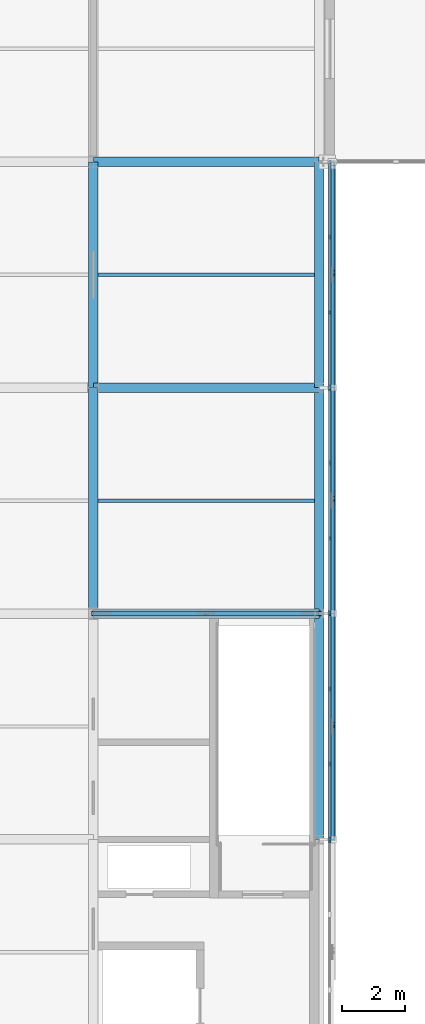
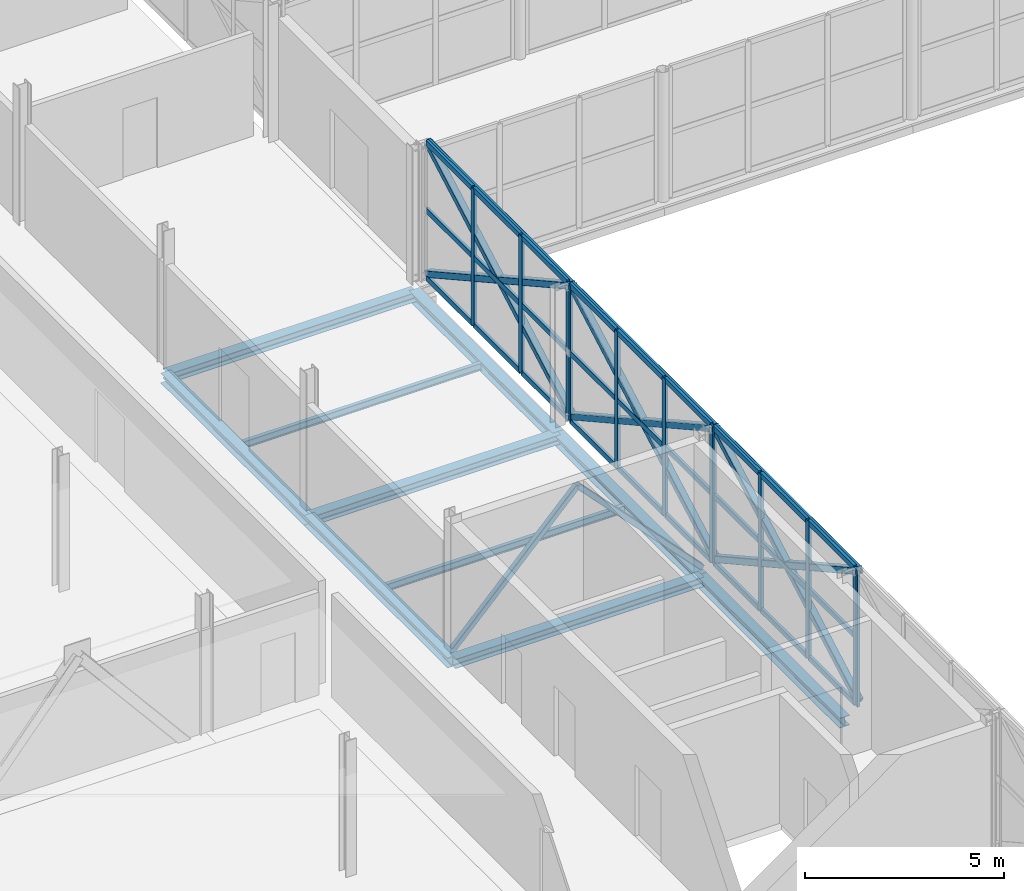
# One storey, part 47 of 103: 53 members, 10 beams, 4 elements without a shape of their own.
"""IFC4 building model written with IfcOpenShell, lengths in metres."""

from ifc_helpers import new_model, si_unit, direction, frame, origin, origin_2d, place, context, subcontext, project, spatial, rectangle, hollow_rectangle, i_section, extrude, material, material_profile, profile_set, type_object, element, aggregate, save


model = new_model("IFC4")

# Units and contexts
model_context = context("Model", 3, precision=1e-05, world=origin(), true_north=direction((0.0, 1.0)))
body_context = subcontext(model_context, "Body", "Model", "MODEL_VIEW")
ifc_project = project(units=[si_unit("LENGTHUNIT", "METRE"), si_unit("AREAUNIT", "SQUARE_METRE"), si_unit("VOLUMEUNIT", "CUBIC_METRE"), si_unit("PLANEANGLEUNIT", "RADIAN"), si_unit("MASSUNIT", "GRAM", prefix="KILO")], contexts=[model_context])

# Site, building, storey
site_placement = place(None, origin())
site = spatial("IfcSite", under=ifc_project, at=site_placement, CompositionType="ELEMENT")
building_placement = place(site_placement, origin())
building = spatial("IfcBuilding", under=site, at=building_placement, Name="Zlatovets Crest Museum", CompositionType="ELEMENT")
storey_placement = place(building_placement, frame((0.0, 0.0, 12.89990234375)))
storey = spatial("IfcBuildingStorey", under=building, at=storey_placement, Name="L03", CompositionType="ELEMENT", Elevation=12.89990234375)

# Beams
ifc_material_1 = material(Name="Structural steel S355J2", Category="steel")
ifc_material_profile_1 = material_profile(ifc_material_1, i_section(OverallWidth=0.300048828125, OverallDepth=0.31005859375, WebThickness=0.009033203125, FlangeThickness=0.015380859375, FilletRadius=0.027099609375, at=origin_2d()), Name="HEA 320")
ifc_profile_set_1 = profile_set([ifc_material_profile_1], Name="Structural steel S355J2")
beam_type_1 = type_object("IfcBeamType", Name="Beam_B-04", PredefinedType="BEAM", material=ifc_profile_set_1)
for number, where, z_axis, x_axis, name in (
    (1, (28.800048828125, 72.0, -0.39501953125), (0.0, 1.0, 0.0), (-1.0, 0.0, 0.0), "V4 L03 Grid Beam B-04"),
    (2, (28.800048828125, 79.199951171875, -0.39501953125), (0.0, 1.0, 0.0), (-1.0, 0.0, 0.0), "V4 L03 Grid Beam B-04"),
    (3, (36.0, 64.800048828125, -0.39501953125), (0.0, 1.0, 0.0), (-1.0, 0.0, 0.0), "V4 L03 Grid Beam B-04"),
    (4, (36.0, 72.0, -0.39501953125), (0.0, 1.0, 0.0), (-1.0, 0.0, 0.0), "V4 L03 Grid Beam B-04"),
    (5, (36.0, 79.199951171875, -0.39501953125), (0.0, 1.0, 0.0), (-1.0, 0.0, 0.0), "V4 L03 Grid Beam B-04"),
):
    element("IfcBeam", number, at=place(storey_placement, frame(where, z_axis=z_axis, x_axis=x_axis)), inside=storey, type_object=beam_type_1, Name=name, PredefinedType="BEAM", context=body_context, shape_type="SweptSolid", body=[
        extrude(i_section(OverallWidth=0.300048828125, OverallDepth=0.31005859375, WebThickness=0.009033203125, FlangeThickness=0.015380859375, FilletRadius=0.027099609375, at=origin_2d()), origin(), (0.0, 0.0, 1.0), 7.199951171875),
    ])
ifc_material_profile_2 = material_profile(ifc_material_1, i_section(OverallWidth=0.300048828125, OverallDepth=0.2900390625, WebThickness=0.008544921875, FlangeThickness=0.013916015625, FilletRadius=0.027099609375, at=origin_2d()), Name="HEA 300")
ifc_profile_set_2 = profile_set([ifc_material_profile_2], Name="Structural steel S355J2")
beam_type_2 = type_object("IfcBeamType", Name="Beam_B-12", PredefinedType="BEAM", material=ifc_profile_set_2)
for number, where, z_axis, x_axis, name in (
    (6, (28.800048828125, 72.0, -0.385009765625), (1.0, 0.0, 0.0), (0.0, 1.0, 0.0), "V4 L03 Primary Girder B-12"),
    (7, (28.800048828125, 79.199951171875, -0.385009765625), (1.0, 0.0, 0.0), (0.0, 1.0, 0.0), "V4 L03 Primary Girder B-12"),
    (8, (28.800048828125, 86.39990234375, -0.385009765625), (1.0, 0.0, 0.0), (0.0, 1.0, 0.0), "V4 L03 Primary Girder B-12"),
):
    element("IfcBeam", number, at=place(storey_placement, frame(where, z_axis=z_axis, x_axis=x_axis)), inside=storey, type_object=beam_type_2, Name=name, PredefinedType="BEAM", context=body_context, shape_type="SweptSolid", body=[
        extrude(i_section(OverallWidth=0.300048828125, OverallDepth=0.2900390625, WebThickness=0.008544921875, FlangeThickness=0.013916015625, FilletRadius=0.027099609375, at=origin_2d()), origin(), (0.0, 0.0, 1.0), 7.199951171875),
    ])
ifc_material_profile_3 = material_profile(ifc_material_1, i_section(OverallWidth=0.110107421875, OverallDepth=0.219970703125, WebThickness=0.005859375, FlangeThickness=0.00927734375, FilletRadius=0.011962890625, at=origin_2d()), Name="IPE 220")
ifc_profile_set_3 = profile_set([ifc_material_profile_3], Name="Structural steel S355J2")
beam_type_3 = type_object("IfcBeamType", Name="Beam_J-10", PredefinedType="JOIST", material=ifc_profile_set_3)
for number, where, z_axis, x_axis, name in (
    (9, (28.949951171875, 75.60009765625, -0.349853515625), (1.0, 0.0, 0.0), (0.0, 1.0, 0.0), "V4 L03 Composite Joist J-10"),
    (10, (28.949951171875, 82.800048828125, -0.349853515625), (1.0, 0.0, 0.0), (0.0, 1.0, 0.0), "V4 L03 Composite Joist J-10"),
):
    element("IfcBeam", number, at=place(storey_placement, frame(where, z_axis=z_axis, x_axis=x_axis)), inside=storey, type_object=beam_type_3, Name=name, PredefinedType="JOIST", context=body_context, shape_type="SweptSolid", body=[
        extrude(i_section(OverallWidth=0.110107421875, OverallDepth=0.219970703125, WebThickness=0.005859375, FlangeThickness=0.00927734375, FilletRadius=0.011962890625, at=origin_2d()), origin(), (0.0, 0.0, 1.0), 6.900146484375),
    ])

# Curtain wall, member
ifc_material_2 = material(Name="Bronze-anodised aluminium and low-E triple glass", Category="aluminium")
curtain_wall_type_1 = type_object("IfcCurtainWallType", Name="CW_CW-V4-L03-M1", PredefinedType="NOTDEFINED", material=ifc_material_2)
curtain_wall_1_placement = place(storey_placement, origin())
curtain_wall_1 = element("IfcCurtainWall", 11, at=curtain_wall_1_placement, inside=storey, type_object=curtain_wall_type_1, Name="V4 L03 Expressed Core Glazed Facade", PredefinedType="NOTDEFINED")
ifc_material_3 = material(Name="Bronze-anodised aluminium EN AW-6060", Category="aluminium")
ifc_material_profile_4 = material_profile(ifc_material_3, rectangle(XDim=0.080078125, YDim=0.159912109375, at=origin_2d()), Name="ALU 80x160")
ifc_profile_set_4 = profile_set([ifc_material_profile_4], Name="Bronze-anodised aluminium EN AW-6060")
member_type_1 = type_object("IfcMemberType", Name="CWMull_M1", PredefinedType="MULLION", material=ifc_profile_set_4)
member_1_placement = place(storey_placement, frame((36.340087890625, 64.77001953125, 0.0), z_axis=(0.0, 0.0, 1.0), x_axis=(-1.0, 0.0, 0.0)))
member_1 = element("IfcMember", 12, at=member_1_placement, type_object=member_type_1, Name="CW-V4-L03-M1 mullion 4", PredefinedType="MULLION", context=body_context, shape_type="SweptSolid", body=[
    extrude(rectangle(XDim=0.080078125, YDim=0.159912109375, at=origin_2d()), origin(), (0.0, 0.0, 1.0), 4.2001953125),
])
aggregate(curtain_wall_1, [member_1])

# Curtain wall, members
curtain_wall_type_2 = type_object("IfcCurtainWallType", Name="CW_CW-V4-L03-M2", PredefinedType="NOTDEFINED", material=ifc_material_2)
curtain_wall_2_placement = place(storey_placement, origin())
curtain_wall_2 = element("IfcCurtainWall", 13, at=curtain_wall_2_placement, inside=storey, type_object=curtain_wall_type_2, Name="V4 L03 Expressed Core Glazed Facade", PredefinedType="NOTDEFINED")
member_2_placement = place(storey_placement, frame((36.340087890625, 64.830078125, 0.0), z_axis=(0.0, 0.0, 1.0), x_axis=(-1.0, 0.0, 0.0)))
member_2 = element("IfcMember", 14, at=member_2_placement, type_object=member_type_1, Name="CW-V4-L03-M2 mullion 1", PredefinedType="MULLION", context=body_context, shape_type="SweptSolid", body=[
    extrude(rectangle(XDim=0.080078125, YDim=0.159912109375, at=origin_2d()), origin(), (0.0, 0.0, 1.0), 4.2001953125),
])
member_3_placement = place(storey_placement, frame((36.340087890625, 67.199951171875, 0.0), z_axis=(0.0, 0.0, 1.0), x_axis=(-1.0, 0.0, 0.0)))
member_3 = element("IfcMember", 15, at=member_3_placement, type_object=member_type_1, Name="CW-V4-L03-M2 mullion 2", PredefinedType="MULLION", context=body_context, shape_type="SweptSolid", body=[
    extrude(rectangle(XDim=0.080078125, YDim=0.159912109375, at=origin_2d()), origin(), (0.0, 0.0, 1.0), 4.2001953125),
])
member_4_placement = place(storey_placement, frame((36.340087890625, 69.60009765625, 0.0), z_axis=(0.0, 0.0, 1.0), x_axis=(-1.0, 0.0, 0.0)))
member_4 = element("IfcMember", 16, at=member_4_placement, type_object=member_type_1, Name="CW-V4-L03-M2 mullion 3", PredefinedType="MULLION", context=body_context, shape_type="SweptSolid", body=[
    extrude(rectangle(XDim=0.080078125, YDim=0.159912109375, at=origin_2d()), origin(), (0.0, 0.0, 1.0), 4.2001953125),
])
member_5_placement = place(storey_placement, frame((36.340087890625, 71.969970703125, 0.0), z_axis=(0.0, 0.0, 1.0), x_axis=(-1.0, 0.0, 0.0)))
member_5 = element("IfcMember", 17, at=member_5_placement, type_object=member_type_1, Name="CW-V4-L03-M2 mullion 4", PredefinedType="MULLION", context=body_context, shape_type="SweptSolid", body=[
    extrude(rectangle(XDim=0.080078125, YDim=0.159912109375, at=origin_2d()), origin(), (0.0, 0.0, 1.0), 4.2001953125),
])

curtain_wall_type_3 = type_object("IfcCurtainWallType", Name="CW_CW-V4-L03-M3", PredefinedType="NOTDEFINED", material=ifc_material_2)
curtain_wall_3_placement = place(storey_placement, origin())
curtain_wall_3 = element("IfcCurtainWall", 18, at=curtain_wall_3_placement, inside=storey, type_object=curtain_wall_type_3, Name="V4 L03 Secession Foyer Clear Curtain Wall", PredefinedType="NOTDEFINED")
member_6_placement = place(storey_placement, frame((36.340087890625, 72.030029296875, 0.0), z_axis=(0.0, 0.0, 1.0), x_axis=(-1.0, 0.0, 0.0)))
member_6 = element("IfcMember", 19, at=member_6_placement, type_object=member_type_1, Name="CW-V4-L03-M3 mullion 1", PredefinedType="MULLION", context=body_context, shape_type="SweptSolid", body=[
    extrude(rectangle(XDim=0.080078125, YDim=0.159912109375, at=origin_2d()), origin(), (0.0, 0.0, 1.0), 4.2001953125),
])
member_7_placement = place(storey_placement, frame((36.340087890625, 74.39990234375, 0.0), z_axis=(0.0, 0.0, 1.0), x_axis=(-1.0, 0.0, 0.0)))
member_7 = element("IfcMember", 20, at=member_7_placement, type_object=member_type_1, Name="CW-V4-L03-M3 mullion 2", PredefinedType="MULLION", context=body_context, shape_type="SweptSolid", body=[
    extrude(rectangle(XDim=0.080078125, YDim=0.159912109375, at=origin_2d()), origin(), (0.0, 0.0, 1.0), 4.2001953125),
])
member_8_placement = place(storey_placement, frame((36.340087890625, 76.800048828125, 0.0), z_axis=(0.0, 0.0, 1.0), x_axis=(-1.0, 0.0, 0.0)))
member_8 = element("IfcMember", 21, at=member_8_placement, type_object=member_type_1, Name="CW-V4-L03-M3 mullion 3", PredefinedType="MULLION", context=body_context, shape_type="SweptSolid", body=[
    extrude(rectangle(XDim=0.080078125, YDim=0.159912109375, at=origin_2d()), origin(), (0.0, 0.0, 1.0), 4.2001953125),
])
member_9_placement = place(storey_placement, frame((36.340087890625, 79.169921875, 0.0), z_axis=(0.0, 0.0, 1.0), x_axis=(-1.0, 0.0, 0.0)))
member_9 = element("IfcMember", 22, at=member_9_placement, type_object=member_type_1, Name="CW-V4-L03-M3 mullion 4", PredefinedType="MULLION", context=body_context, shape_type="SweptSolid", body=[
    extrude(rectangle(XDim=0.080078125, YDim=0.159912109375, at=origin_2d()), origin(), (0.0, 0.0, 1.0), 4.2001953125),
])

curtain_wall_type_4 = type_object("IfcCurtainWallType", Name="CW_CW-V4-L03-M0", PredefinedType="NOTDEFINED", material=ifc_material_2)
curtain_wall_4_placement = place(storey_placement, origin())
curtain_wall_4 = element("IfcCurtainWall", 23, at=curtain_wall_4_placement, inside=storey, type_object=curtain_wall_type_4, Name="V4 L03 Secession Foyer Clear Curtain Wall", PredefinedType="NOTDEFINED")
member_10_placement = place(storey_placement, frame((36.340087890625, 79.22998046875, 0.0), z_axis=(0.0, 0.0, 1.0), x_axis=(-1.0, 0.0, 0.0)))
member_10 = element("IfcMember", 24, at=member_10_placement, type_object=member_type_1, Name="CW-V4-L03-M0 mullion 1", PredefinedType="MULLION", context=body_context, shape_type="SweptSolid", body=[
    extrude(rectangle(XDim=0.080078125, YDim=0.159912109375, at=origin_2d()), origin(), (0.0, 0.0, 1.0), 4.2001953125),
])
member_11_placement = place(storey_placement, frame((36.340087890625, 81.60009765625, 0.0), z_axis=(0.0, 0.0, 1.0), x_axis=(-1.0, 0.0, 0.0)))
member_11 = element("IfcMember", 25, at=member_11_placement, type_object=member_type_1, Name="CW-V4-L03-M0 mullion 2", PredefinedType="MULLION", context=body_context, shape_type="SweptSolid", body=[
    extrude(rectangle(XDim=0.080078125, YDim=0.159912109375, at=origin_2d()), origin(), (0.0, 0.0, 1.0), 4.2001953125),
])
member_12_placement = place(storey_placement, frame((36.340087890625, 84.0, 0.0), z_axis=(0.0, 0.0, 1.0), x_axis=(-1.0, 0.0, 0.0)))
member_12 = element("IfcMember", 26, at=member_12_placement, type_object=member_type_1, Name="CW-V4-L03-M0 mullion 3", PredefinedType="MULLION", context=body_context, shape_type="SweptSolid", body=[
    extrude(rectangle(XDim=0.080078125, YDim=0.159912109375, at=origin_2d()), origin(), (0.0, 0.0, 1.0), 4.2001953125),
])

# Member
ifc_material_profile_5 = material_profile(ifc_material_3, rectangle(XDim=0.080078125, YDim=0.159912109375, at=origin_2d()), Name="ALU 80x160")
ifc_profile_set_5 = profile_set([ifc_material_profile_5], Name="Bronze-anodised aluminium EN AW-6060")
member_type_2 = type_object("IfcMemberType", Name="CWTrans_T1", PredefinedType="USERDEFINED", material=ifc_profile_set_5)
member_13_placement = place(storey_placement, frame((36.340087890625, 64.860107421875, 0.030029296875), z_axis=(0.0, 1.0, 0.0), x_axis=(-1.0, 0.0, 0.0)))
member_13 = element("IfcMember", 27, at=member_13_placement, type_object=member_type_2, Name="CW-V4-L03-M2 transom 1.1", ObjectType="TRANSOM", PredefinedType="USERDEFINED", context=body_context, shape_type="SweptSolid", body=[
    extrude(rectangle(XDim=0.080078125, YDim=0.159912109375, at=origin_2d()), origin(), (0.0, 0.0, 1.0), 2.309814453125),
])

member_14_placement = place(storey_placement, frame((36.340087890625, 64.860107421875, 2.10009765625), z_axis=(0.0, 1.0, 0.0), x_axis=(-1.0, 0.0, 0.0)))
member_14 = element("IfcMember", 28, at=member_14_placement, type_object=member_type_2, Name="CW-V4-L03-M2 transom 1.2", ObjectType="TRANSOM", PredefinedType="USERDEFINED", context=body_context, shape_type="SweptSolid", body=[
    extrude(rectangle(XDim=0.080078125, YDim=0.159912109375, at=origin_2d()), origin(), (0.0, 0.0, 1.0), 2.309814453125),
])

member_15_placement = place(storey_placement, frame((36.340087890625, 64.860107421875, 4.170166015625), z_axis=(0.0, 1.0, 0.0), x_axis=(-1.0, 0.0, 0.0)))
member_15 = element("IfcMember", 29, at=member_15_placement, type_object=member_type_2, Name="CW-V4-L03-M2 transom 1.3", ObjectType="TRANSOM", PredefinedType="USERDEFINED", context=body_context, shape_type="SweptSolid", body=[
    extrude(rectangle(XDim=0.080078125, YDim=0.159912109375, at=origin_2d()), origin(), (0.0, 0.0, 1.0), 2.309814453125),
])

member_16_placement = place(storey_placement, frame((36.340087890625, 67.22998046875, 0.030029296875), z_axis=(0.0, 1.0, 0.0), x_axis=(-1.0, 0.0, 0.0)))
member_16 = element("IfcMember", 30, at=member_16_placement, type_object=member_type_2, Name="CW-V4-L03-M2 transom 2.1", ObjectType="TRANSOM", PredefinedType="USERDEFINED", context=body_context, shape_type="SweptSolid", body=[
    extrude(rectangle(XDim=0.080078125, YDim=0.159912109375, at=origin_2d()), origin(), (0.0, 0.0, 1.0), 2.340087890625),
])

member_17_placement = place(storey_placement, frame((36.340087890625, 67.22998046875, 2.10009765625), z_axis=(0.0, 1.0, 0.0), x_axis=(-1.0, 0.0, 0.0)))
member_17 = element("IfcMember", 31, at=member_17_placement, type_object=member_type_2, Name="CW-V4-L03-M2 transom 2.2", ObjectType="TRANSOM", PredefinedType="USERDEFINED", context=body_context, shape_type="SweptSolid", body=[
    extrude(rectangle(XDim=0.080078125, YDim=0.159912109375, at=origin_2d()), origin(), (0.0, 0.0, 1.0), 2.340087890625),
])

member_18_placement = place(storey_placement, frame((36.340087890625, 67.22998046875, 4.170166015625), z_axis=(0.0, 1.0, 0.0), x_axis=(-1.0, 0.0, 0.0)))
member_18 = element("IfcMember", 32, at=member_18_placement, type_object=member_type_2, Name="CW-V4-L03-M2 transom 2.3", ObjectType="TRANSOM", PredefinedType="USERDEFINED", context=body_context, shape_type="SweptSolid", body=[
    extrude(rectangle(XDim=0.080078125, YDim=0.159912109375, at=origin_2d()), origin(), (0.0, 0.0, 1.0), 2.340087890625),
])

member_19_placement = place(storey_placement, frame((36.340087890625, 69.6298828125, 0.030029296875), z_axis=(0.0, 1.0, 0.0), x_axis=(-1.0, 0.0, 0.0)))
member_19 = element("IfcMember", 33, at=member_19_placement, type_object=member_type_2, Name="CW-V4-L03-M2 transom 3.1", ObjectType="TRANSOM", PredefinedType="USERDEFINED", context=body_context, shape_type="SweptSolid", body=[
    extrude(rectangle(XDim=0.080078125, YDim=0.159912109375, at=origin_2d()), origin(), (0.0, 0.0, 1.0), 2.31005859375),
])

member_20_placement = place(storey_placement, frame((36.340087890625, 69.6298828125, 2.10009765625), z_axis=(0.0, 1.0, 0.0), x_axis=(-1.0, 0.0, 0.0)))
member_20 = element("IfcMember", 34, at=member_20_placement, type_object=member_type_2, Name="CW-V4-L03-M2 transom 3.2", ObjectType="TRANSOM", PredefinedType="USERDEFINED", context=body_context, shape_type="SweptSolid", body=[
    extrude(rectangle(XDim=0.080078125, YDim=0.159912109375, at=origin_2d()), origin(), (0.0, 0.0, 1.0), 2.31005859375),
])

member_21_placement = place(storey_placement, frame((36.340087890625, 69.6298828125, 4.170166015625), z_axis=(0.0, 1.0, 0.0), x_axis=(-1.0, 0.0, 0.0)))
member_21 = element("IfcMember", 35, at=member_21_placement, type_object=member_type_2, Name="CW-V4-L03-M2 transom 3.3", ObjectType="TRANSOM", PredefinedType="USERDEFINED", context=body_context, shape_type="SweptSolid", body=[
    extrude(rectangle(XDim=0.080078125, YDim=0.159912109375, at=origin_2d()), origin(), (0.0, 0.0, 1.0), 2.31005859375),
])

aggregate(curtain_wall_2, [member_2, member_3, member_4, member_5, member_13, member_14, member_15, member_16, member_17, member_18, member_19, member_20, member_21])

member_22_placement = place(storey_placement, frame((36.340087890625, 72.06005859375, 0.030029296875), z_axis=(0.0, 1.0, 0.0), x_axis=(-1.0, 0.0, 0.0)))
member_22 = element("IfcMember", 36, at=member_22_placement, type_object=member_type_2, Name="CW-V4-L03-M3 transom 1.1", ObjectType="TRANSOM", PredefinedType="USERDEFINED", context=body_context, shape_type="SweptSolid", body=[
    extrude(rectangle(XDim=0.080078125, YDim=0.159912109375, at=origin_2d()), origin(), (0.0, 0.0, 1.0), 2.31005859375),
])

member_23_placement = place(storey_placement, frame((36.340087890625, 72.06005859375, 2.10009765625), z_axis=(0.0, 1.0, 0.0), x_axis=(-1.0, 0.0, 0.0)))
member_23 = element("IfcMember", 37, at=member_23_placement, type_object=member_type_2, Name="CW-V4-L03-M3 transom 1.2", ObjectType="TRANSOM", PredefinedType="USERDEFINED", context=body_context, shape_type="SweptSolid", body=[
    extrude(rectangle(XDim=0.080078125, YDim=0.159912109375, at=origin_2d()), origin(), (0.0, 0.0, 1.0), 2.31005859375),
])

member_24_placement = place(storey_placement, frame((36.340087890625, 72.06005859375, 4.170166015625), z_axis=(0.0, 1.0, 0.0), x_axis=(-1.0, 0.0, 0.0)))
member_24 = element("IfcMember", 38, at=member_24_placement, type_object=member_type_2, Name="CW-V4-L03-M3 transom 1.3", ObjectType="TRANSOM", PredefinedType="USERDEFINED", context=body_context, shape_type="SweptSolid", body=[
    extrude(rectangle(XDim=0.080078125, YDim=0.159912109375, at=origin_2d()), origin(), (0.0, 0.0, 1.0), 2.31005859375),
])

member_25_placement = place(storey_placement, frame((36.340087890625, 74.429931640625, 0.030029296875), z_axis=(0.0, 1.0, 0.0), x_axis=(-1.0, 0.0, 0.0)))
member_25 = element("IfcMember", 39, at=member_25_placement, type_object=member_type_2, Name="CW-V4-L03-M3 transom 2.1", ObjectType="TRANSOM", PredefinedType="USERDEFINED", context=body_context, shape_type="SweptSolid", body=[
    extrude(rectangle(XDim=0.080078125, YDim=0.159912109375, at=origin_2d()), origin(), (0.0, 0.0, 1.0), 2.340087890625),
])

member_26_placement = place(storey_placement, frame((36.340087890625, 74.429931640625, 2.10009765625), z_axis=(0.0, 1.0, 0.0), x_axis=(-1.0, 0.0, 0.0)))
member_26 = element("IfcMember", 40, at=member_26_placement, type_object=member_type_2, Name="CW-V4-L03-M3 transom 2.2", ObjectType="TRANSOM", PredefinedType="USERDEFINED", context=body_context, shape_type="SweptSolid", body=[
    extrude(rectangle(XDim=0.080078125, YDim=0.159912109375, at=origin_2d()), origin(), (0.0, 0.0, 1.0), 2.340087890625),
])

member_27_placement = place(storey_placement, frame((36.340087890625, 74.429931640625, 4.170166015625), z_axis=(0.0, 1.0, 0.0), x_axis=(-1.0, 0.0, 0.0)))
member_27 = element("IfcMember", 41, at=member_27_placement, type_object=member_type_2, Name="CW-V4-L03-M3 transom 2.3", ObjectType="TRANSOM", PredefinedType="USERDEFINED", context=body_context, shape_type="SweptSolid", body=[
    extrude(rectangle(XDim=0.080078125, YDim=0.159912109375, at=origin_2d()), origin(), (0.0, 0.0, 1.0), 2.340087890625),
])

member_28_placement = place(storey_placement, frame((36.340087890625, 76.830078125, 0.030029296875), z_axis=(0.0, 1.0, 0.0), x_axis=(-1.0, 0.0, 0.0)))
member_28 = element("IfcMember", 42, at=member_28_placement, type_object=member_type_2, Name="CW-V4-L03-M3 transom 3.1", ObjectType="TRANSOM", PredefinedType="USERDEFINED", context=body_context, shape_type="SweptSolid", body=[
    extrude(rectangle(XDim=0.080078125, YDim=0.159912109375, at=origin_2d()), origin(), (0.0, 0.0, 1.0), 2.309814453125),
])

member_29_placement = place(storey_placement, frame((36.340087890625, 76.830078125, 2.10009765625), z_axis=(0.0, 1.0, 0.0), x_axis=(-1.0, 0.0, 0.0)))
member_29 = element("IfcMember", 43, at=member_29_placement, type_object=member_type_2, Name="CW-V4-L03-M3 transom 3.2", ObjectType="TRANSOM", PredefinedType="USERDEFINED", context=body_context, shape_type="SweptSolid", body=[
    extrude(rectangle(XDim=0.080078125, YDim=0.159912109375, at=origin_2d()), origin(), (0.0, 0.0, 1.0), 2.309814453125),
])

member_30_placement = place(storey_placement, frame((36.340087890625, 76.830078125, 4.170166015625), z_axis=(0.0, 1.0, 0.0), x_axis=(-1.0, 0.0, 0.0)))
member_30 = element("IfcMember", 44, at=member_30_placement, type_object=member_type_2, Name="CW-V4-L03-M3 transom 3.3", ObjectType="TRANSOM", PredefinedType="USERDEFINED", context=body_context, shape_type="SweptSolid", body=[
    extrude(rectangle(XDim=0.080078125, YDim=0.159912109375, at=origin_2d()), origin(), (0.0, 0.0, 1.0), 2.309814453125),
])

aggregate(curtain_wall_3, [member_6, member_7, member_8, member_9, member_22, member_23, member_24, member_25, member_26, member_27, member_28, member_29, member_30])

member_31_placement = place(storey_placement, frame((36.340087890625, 79.260009765625, 0.030029296875), z_axis=(0.0, 1.0, 0.0), x_axis=(-1.0, 0.0, 0.0)))
member_31 = element("IfcMember", 45, at=member_31_placement, type_object=member_type_2, Name="CW-V4-L03-M0 transom 1.1", ObjectType="TRANSOM", PredefinedType="USERDEFINED", context=body_context, shape_type="SweptSolid", body=[
    extrude(rectangle(XDim=0.080078125, YDim=0.159912109375, at=origin_2d()), origin(), (0.0, 0.0, 1.0), 2.31005859375),
])

member_32_placement = place(storey_placement, frame((36.340087890625, 79.260009765625, 2.10009765625), z_axis=(0.0, 1.0, 0.0), x_axis=(-1.0, 0.0, 0.0)))
member_32 = element("IfcMember", 46, at=member_32_placement, type_object=member_type_2, Name="CW-V4-L03-M0 transom 1.2", ObjectType="TRANSOM", PredefinedType="USERDEFINED", context=body_context, shape_type="SweptSolid", body=[
    extrude(rectangle(XDim=0.080078125, YDim=0.159912109375, at=origin_2d()), origin(), (0.0, 0.0, 1.0), 2.31005859375),
])

member_33_placement = place(storey_placement, frame((36.340087890625, 79.260009765625, 4.170166015625), z_axis=(0.0, 1.0, 0.0), x_axis=(-1.0, 0.0, 0.0)))
member_33 = element("IfcMember", 47, at=member_33_placement, type_object=member_type_2, Name="CW-V4-L03-M0 transom 1.3", ObjectType="TRANSOM", PredefinedType="USERDEFINED", context=body_context, shape_type="SweptSolid", body=[
    extrude(rectangle(XDim=0.080078125, YDim=0.159912109375, at=origin_2d()), origin(), (0.0, 0.0, 1.0), 2.31005859375),
])

member_34_placement = place(storey_placement, frame((36.340087890625, 81.6298828125, 0.030029296875), z_axis=(0.0, 1.0, 0.0), x_axis=(-1.0, 0.0, 0.0)))
member_34 = element("IfcMember", 48, at=member_34_placement, type_object=member_type_2, Name="CW-V4-L03-M0 transom 2.1", ObjectType="TRANSOM", PredefinedType="USERDEFINED", context=body_context, shape_type="SweptSolid", body=[
    extrude(rectangle(XDim=0.080078125, YDim=0.159912109375, at=origin_2d()), origin(), (0.0, 0.0, 1.0), 2.340087890625),
])

member_35_placement = place(storey_placement, frame((36.340087890625, 81.6298828125, 2.10009765625), z_axis=(0.0, 1.0, 0.0), x_axis=(-1.0, 0.0, 0.0)))
member_35 = element("IfcMember", 49, at=member_35_placement, type_object=member_type_2, Name="CW-V4-L03-M0 transom 2.2", ObjectType="TRANSOM", PredefinedType="USERDEFINED", context=body_context, shape_type="SweptSolid", body=[
    extrude(rectangle(XDim=0.080078125, YDim=0.159912109375, at=origin_2d()), origin(), (0.0, 0.0, 1.0), 2.340087890625),
])

member_36_placement = place(storey_placement, frame((36.340087890625, 81.6298828125, 4.170166015625), z_axis=(0.0, 1.0, 0.0), x_axis=(-1.0, 0.0, 0.0)))
member_36 = element("IfcMember", 50, at=member_36_placement, type_object=member_type_2, Name="CW-V4-L03-M0 transom 2.3", ObjectType="TRANSOM", PredefinedType="USERDEFINED", context=body_context, shape_type="SweptSolid", body=[
    extrude(rectangle(XDim=0.080078125, YDim=0.159912109375, at=origin_2d()), origin(), (0.0, 0.0, 1.0), 2.340087890625),
])

member_37_placement = place(storey_placement, frame((36.340087890625, 84.030029296875, 0.030029296875), z_axis=(0.0, 1.0, 0.0), x_axis=(-1.0, 0.0, 0.0)))
member_37 = element("IfcMember", 51, at=member_37_placement, type_object=member_type_2, Name="CW-V4-L03-M0 transom 3.1", ObjectType="TRANSOM", PredefinedType="USERDEFINED", context=body_context, shape_type="SweptSolid", body=[
    extrude(rectangle(XDim=0.080078125, YDim=0.159912109375, at=origin_2d()), origin(), (0.0, 0.0, 1.0), 2.31005859375),
])

member_38_placement = place(storey_placement, frame((36.340087890625, 84.030029296875, 2.10009765625), z_axis=(0.0, 1.0, 0.0), x_axis=(-1.0, 0.0, 0.0)))
member_38 = element("IfcMember", 52, at=member_38_placement, type_object=member_type_2, Name="CW-V4-L03-M0 transom 3.2", ObjectType="TRANSOM", PredefinedType="USERDEFINED", context=body_context, shape_type="SweptSolid", body=[
    extrude(rectangle(XDim=0.080078125, YDim=0.159912109375, at=origin_2d()), origin(), (0.0, 0.0, 1.0), 2.31005859375),
])

member_39_placement = place(storey_placement, frame((36.340087890625, 84.030029296875, 4.170166015625), z_axis=(0.0, 1.0, 0.0), x_axis=(-1.0, 0.0, 0.0)))
member_39 = element("IfcMember", 53, at=member_39_placement, type_object=member_type_2, Name="CW-V4-L03-M0 transom 3.3", ObjectType="TRANSOM", PredefinedType="USERDEFINED", context=body_context, shape_type="SweptSolid", body=[
    extrude(rectangle(XDim=0.080078125, YDim=0.159912109375, at=origin_2d()), origin(), (0.0, 0.0, 1.0), 2.31005859375),
])

aggregate(curtain_wall_4, [member_10, member_11, member_12, member_31, member_32, member_33, member_34, member_35, member_36, member_37, member_38, member_39])

# Members
ifc_material_4 = material(Name="Weathering bronze-steel S355J2W", Category="steel")
ifc_material_profile_6 = material_profile(ifc_material_4, hollow_rectangle(XDim=0.199951171875, YDim=0.199951171875, WallThickness=0.012451171875, InnerFilletRadius=0.012451171875, OuterFilletRadius=0.02490234375, at=origin_2d()), Name="SHS 200x200x12.5")
ifc_profile_set_6 = profile_set([ifc_material_profile_6], Name="Weathering bronze-steel S355J2W")
member_type_3 = type_object("IfcMemberType", Name="Lattice_XL-02", PredefinedType="BRACE", material=ifc_profile_set_6)
member_40_placement = place(storey_placement, frame((36.419921875, 64.800048828125, 0.10009765625), z_axis=(0.0, 0.874155877937, 0.485645447903), x_axis=(-1.0, 0.0, 0.0)))
element("IfcMember", 54, at=member_40_placement, inside=storey, type_object=member_type_3, Name="Continuous Bronze Lattice Diagonal", PredefinedType="BRACE", context=body_context, shape_type="SweptSolid", body=[
    extrude(hollow_rectangle(XDim=0.199951171875, YDim=0.199951171875, WallThickness=0.012451171875, InnerFilletRadius=0.012451171875, OuterFilletRadius=0.02490234375, at=origin_2d()), origin(), (0.0, 0.0, 1.0), 8.236572265625),
])
member_41_placement = place(storey_placement, frame((36.419921875, 64.800048828125, 4.10009765625), z_axis=(0.0, 0.874151551165, -0.485653235958), x_axis=(-1.0, 0.0, 0.0)))
element("IfcMember", 55, at=member_41_placement, inside=storey, type_object=member_type_3, Name="Split Crossing Bronze Lattice Diagonal Upper", PredefinedType="BRACE", context=body_context, shape_type="SweptSolid", body=[
    extrude(hollow_rectangle(XDim=0.199951171875, YDim=0.199951171875, WallThickness=0.012451171875, InnerFilletRadius=0.012451171875, OuterFilletRadius=0.02490234375, at=origin_2d()), origin(), (0.0, 0.0, 1.0), 4.023193359375),
])
member_42_placement = place(storey_placement, frame((36.419921875, 68.48291015625, 2.053955078125), z_axis=(0.0, 0.874165862873, -0.485627474703), x_axis=(-1.0, 0.0, 0.0)))
element("IfcMember", 56, at=member_42_placement, inside=storey, type_object=member_type_3, Name="Split Crossing Bronze Lattice Diagonal Lower", PredefinedType="BRACE", context=body_context, shape_type="SweptSolid", body=[
    extrude(hollow_rectangle(XDim=0.199951171875, YDim=0.199951171875, WallThickness=0.012451171875, InnerFilletRadius=0.012451171875, OuterFilletRadius=0.02490234375, at=origin_2d()), origin(), (0.0, 0.0, 1.0), 4.0234375),
])
member_43_placement = place(storey_placement, frame((36.419921875, 72.0, 0.10009765625), z_axis=(0.0, 0.874155877937, 0.485645447903), x_axis=(-1.0, 0.0, 0.0)))
element("IfcMember", 57, at=member_43_placement, inside=storey, type_object=member_type_3, Name="Continuous Bronze Lattice Diagonal", PredefinedType="BRACE", context=body_context, shape_type="SweptSolid", body=[
    extrude(hollow_rectangle(XDim=0.199951171875, YDim=0.199951171875, WallThickness=0.012451171875, InnerFilletRadius=0.012451171875, OuterFilletRadius=0.02490234375, at=origin_2d()), origin(), (0.0, 0.0, 1.0), 8.236572265625),
])
member_44_placement = place(storey_placement, frame((36.419921875, 72.0, 4.10009765625), z_axis=(0.0, 0.874165862873, -0.485627474703), x_axis=(-1.0, 0.0, 0.0)))
element("IfcMember", 58, at=member_44_placement, inside=storey, type_object=member_type_3, Name="Split Crossing Bronze Lattice Diagonal Upper", PredefinedType="BRACE", context=body_context, shape_type="SweptSolid", body=[
    extrude(hollow_rectangle(XDim=0.199951171875, YDim=0.199951171875, WallThickness=0.012451171875, InnerFilletRadius=0.012451171875, OuterFilletRadius=0.02490234375, at=origin_2d()), origin(), (0.0, 0.0, 1.0), 4.0234375),
])
member_45_placement = place(storey_placement, frame((36.419921875, 75.68310546875, 2.053955078125), z_axis=(0.0, 0.874151551165, -0.485653235958), x_axis=(-1.0, 0.0, 0.0)))
element("IfcMember", 59, at=member_45_placement, inside=storey, type_object=member_type_3, Name="Split Crossing Bronze Lattice Diagonal Lower", PredefinedType="BRACE", context=body_context, shape_type="SweptSolid", body=[
    extrude(hollow_rectangle(XDim=0.199951171875, YDim=0.199951171875, WallThickness=0.012451171875, InnerFilletRadius=0.012451171875, OuterFilletRadius=0.02490234375, at=origin_2d()), origin(), (0.0, 0.0, 1.0), 4.023193359375),
])
member_46_placement = place(storey_placement, frame((36.419921875, 79.199951171875, 0.10009765625), z_axis=(0.0, 0.874155877937, 0.485645447903), x_axis=(-1.0, 0.0, 0.0)))
element("IfcMember", 60, at=member_46_placement, inside=storey, type_object=member_type_3, Name="Continuous Bronze Lattice Diagonal", PredefinedType="BRACE", context=body_context, shape_type="SweptSolid", body=[
    extrude(hollow_rectangle(XDim=0.199951171875, YDim=0.199951171875, WallThickness=0.012451171875, InnerFilletRadius=0.012451171875, OuterFilletRadius=0.02490234375, at=origin_2d()), origin(), (0.0, 0.0, 1.0), 8.236572265625),
])
member_47_placement = place(storey_placement, frame((36.419921875, 79.199951171875, 4.10009765625), z_axis=(0.0, 0.874165862873, -0.485627474703), x_axis=(-1.0, 0.0, 0.0)))
element("IfcMember", 61, at=member_47_placement, inside=storey, type_object=member_type_3, Name="Split Crossing Bronze Lattice Diagonal Upper", PredefinedType="BRACE", context=body_context, shape_type="SweptSolid", body=[
    extrude(hollow_rectangle(XDim=0.199951171875, YDim=0.199951171875, WallThickness=0.012451171875, InnerFilletRadius=0.012451171875, OuterFilletRadius=0.02490234375, at=origin_2d()), origin(), (0.0, 0.0, 1.0), 4.0234375),
])
member_48_placement = place(storey_placement, frame((36.419921875, 82.883056640625, 2.053955078125), z_axis=(0.0, 0.874151551165, -0.485653235958), x_axis=(-1.0, 0.0, 0.0)))
element("IfcMember", 62, at=member_48_placement, inside=storey, type_object=member_type_3, Name="Split Crossing Bronze Lattice Diagonal Lower", PredefinedType="BRACE", context=body_context, shape_type="SweptSolid", body=[
    extrude(hollow_rectangle(XDim=0.199951171875, YDim=0.199951171875, WallThickness=0.012451171875, InnerFilletRadius=0.012451171875, OuterFilletRadius=0.02490234375, at=origin_2d()), origin(), (0.0, 0.0, 1.0), 4.023193359375),
])
ifc_material_profile_7 = material_profile(ifc_material_4, hollow_rectangle(XDim=0.1201171875, YDim=0.239990234375, WallThickness=0.010009765625, InnerFilletRadius=0.010009765625, OuterFilletRadius=0.02001953125, at=origin_2d()), Name="RHS 120x240x10.0")
ifc_profile_set_7 = profile_set([ifc_material_profile_7], Name="Weathering bronze-steel S355J2W")
member_type_4 = type_object("IfcMemberType", Name="Lattice_XL-04", PredefinedType="CHORD", material=ifc_profile_set_7)
for number, where, z_axis, x_axis, name in (
    (63, (36.419921875, 64.800048828125, 4.10009765625), (0.0, 1.0, 0.0), (-1.0, 0.0, 0.0), "Art Nouveau Woven Cage Collector Ring Chord"),
    (64, (36.419921875, 72.0, 4.10009765625), (0.0, 1.0, 0.0), (-1.0, 0.0, 0.0), "Art Nouveau Woven Cage Collector Ring Chord"),
    (65, (36.419921875, 79.199951171875, 4.10009765625), (0.0, 1.0, 0.0), (-1.0, 0.0, 0.0), "Art Nouveau Woven Cage Collector Ring Chord"),
):
    element("IfcMember", number, at=place(storey_placement, frame(where, z_axis=z_axis, x_axis=x_axis)), inside=storey, type_object=member_type_4, Name=name, PredefinedType="CHORD", context=body_context, shape_type="SweptSolid", body=[
        extrude(hollow_rectangle(XDim=0.1201171875, YDim=0.239990234375, WallThickness=0.010009765625, InnerFilletRadius=0.010009765625, OuterFilletRadius=0.02001953125, at=origin_2d()), origin(), (0.0, 0.0, 1.0), 7.199951171875),
    ])
ifc_material_profile_8 = material_profile(ifc_material_1, hollow_rectangle(XDim=0.159912109375, YDim=0.159912109375, WallThickness=0.010009765625, InnerFilletRadius=0.010009765625, OuterFilletRadius=0.02001953125, at=origin_2d()), Name="SHS 160x160x10.0")
ifc_profile_set_8 = profile_set([ifc_material_profile_8], Name="Structural steel S355J2")
member_type_5 = type_object("IfcMemberType", Name="Member_BR-03", PredefinedType="BRACE", material=ifc_profile_set_8)
member_49_placement = place(storey_placement, frame((28.800048828125, 72.0, 0.0), z_axis=(0.692517163318, 0.0, 0.721401399021), x_axis=(0.0, 1.0, 0.0)))
element("IfcMember", 66, at=member_49_placement, inside=storey, type_object=member_type_5, Name="V4 L03 Concentric Seismic Brace", PredefinedType="BRACE", context=body_context, shape_type="SweptSolid", body=[
    extrude(hollow_rectangle(XDim=0.159912109375, YDim=0.159912109375, WallThickness=0.010009765625, InnerFilletRadius=0.010009765625, OuterFilletRadius=0.02001953125, at=origin_2d()), origin(), (0.0, 0.0, 1.0), 5.1982421875),
])
member_50_placement = place(storey_placement, frame((36.0, 72.0, 0.0), z_axis=(-0.692541604294, 0.0, 0.721377935844), x_axis=(0.0, -1.0, 0.0)))
element("IfcMember", 67, at=member_50_placement, inside=storey, type_object=member_type_5, Name="V4 L03 Concentric Seismic Brace", PredefinedType="BRACE", context=body_context, shape_type="SweptSolid", body=[
    extrude(hollow_rectangle(XDim=0.159912109375, YDim=0.159912109375, WallThickness=0.010009765625, InnerFilletRadius=0.010009765625, OuterFilletRadius=0.02001953125, at=origin_2d()), origin(), (0.0, 0.0, 1.0), 5.198486328125),
])

save(model, "model.ifc")
